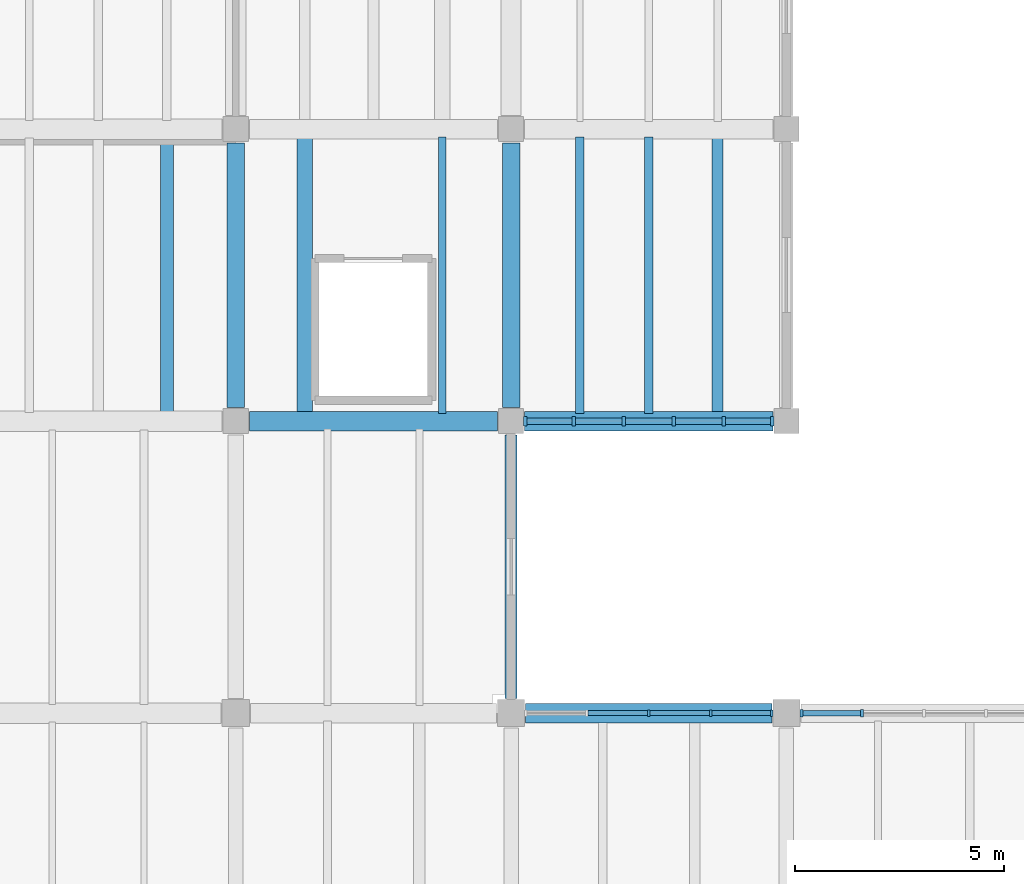
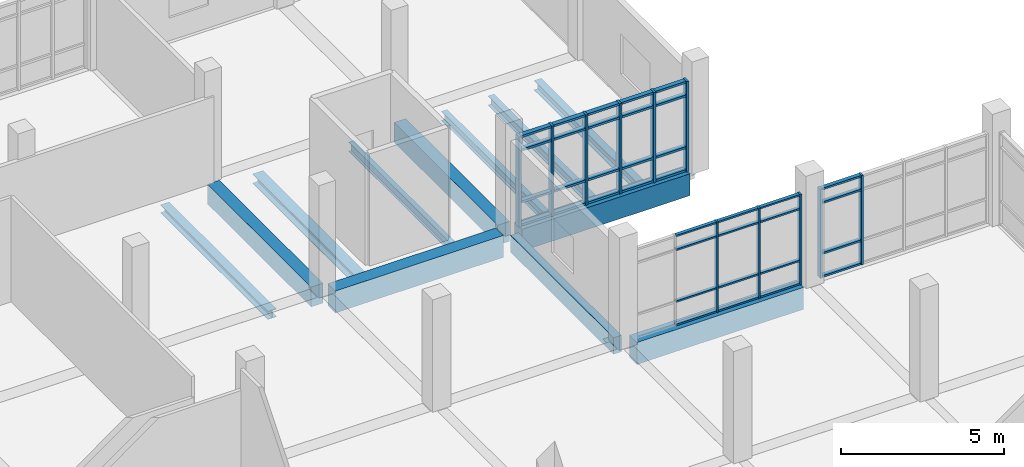
# One storey, part 20 of 68: 47 members, 12 beams, 3 elements without a shape of their own.
"""IFC4 building model written with IfcOpenShell, lengths in metres."""

from ifc_helpers import new_model, si_unit, direction, frame, origin, origin_2d, place, context, subcontext, project, spatial, rectangle, i_section, extrude, material, material_profile, profile_set, type_object, element, aggregate, save


model = new_model("IFC4")

# Units and contexts
model_context = context("Model", 3, precision=1e-05, world=origin(), true_north=direction((0.0, 1.0)))
body_context = subcontext(model_context, "Body", "Model", "MODEL_VIEW")
ifc_project = project(units=[si_unit("LENGTHUNIT", "METRE"), si_unit("AREAUNIT", "SQUARE_METRE"), si_unit("VOLUMEUNIT", "CUBIC_METRE"), si_unit("PLANEANGLEUNIT", "RADIAN"), si_unit("MASSUNIT", "GRAM", prefix="KILO")], contexts=[model_context])

# Site, building, storey
site_placement = place(None, origin())
site = spatial("IfcSite", under=ifc_project, at=site_placement, CompositionType="ELEMENT")
building_placement = place(site_placement, origin())
building = spatial("IfcBuilding", under=site, at=building_placement, Name="Ciguamira Faculty of Natural Sciences", CompositionType="ELEMENT")
storey_placement = place(building_placement, frame((0.0, 0.0, 4.199951171875)))
storey = spatial("IfcBuildingStorey", under=building, at=storey_placement, Name="L01", CompositionType="ELEMENT", Elevation=4.199951171875)

# Curtain wall, members
ifc_material_1 = material(Name="Anodized aluminium curtain wall", Category="aluminium")
curtain_wall_type_1 = type_object("IfcCurtainWallType", Name="CurtainWall_CW-10", PredefinedType="USERDEFINED", material=ifc_material_1)
curtain_wall_1_placement = place(storey_placement, origin())
curtain_wall_1 = element("IfcCurtainWall", 1, at=curtain_wall_1_placement, inside=storey, type_object=curtain_wall_type_1, Name="L01 unitised curtain wall 0034", ObjectType="UNITISED CURTAIN WALL", PredefinedType="USERDEFINED")
ifc_material_2 = material(Name="Anodized aluminium mullion", Category="aluminium")
ifc_material_profile_1 = material_profile(ifc_material_2, rectangle(XDim=0.06005859375, YDim=0.159912109375, at=origin_2d()), Name="ALU-MUL-60X160")
ifc_profile_set_1 = profile_set([ifc_material_profile_1], Name="Anodized aluminium mullion")
member_type_1 = type_object("IfcMemberType", Name="CWMullion_CWM-01", PredefinedType="MULLION", material=ifc_profile_set_1)
member_1_placement = place(storey_placement, frame((113.39990234375, 38.0, 0.0), z_axis=(0.0, 0.0, 1.0), x_axis=(1.0, 0.0, 0.0)))
member_1 = element("IfcMember", 2, at=member_1_placement, type_object=member_type_1, Name="CW-10 mullion 3", PredefinedType="MULLION", context=body_context, shape_type="SweptSolid", body=[
    extrude(rectangle(XDim=0.06005859375, YDim=0.159912109375, at=origin_2d()), origin(), (0.0, 0.0, 1.0), 3.385009765625),
])
member_2_placement = place(storey_placement, frame((114.887451171875, 38.0, 0.0), z_axis=(0.0, 0.0, 1.0), x_axis=(1.0, 0.0, 0.0)))
member_2 = element("IfcMember", 3, at=member_2_placement, type_object=member_type_1, Name="CW-10 mullion 4", PredefinedType="MULLION", context=body_context, shape_type="SweptSolid", body=[
    extrude(rectangle(XDim=0.06005859375, YDim=0.159912109375, at=origin_2d()), origin(), (0.0, 0.0, 1.0), 3.385009765625),
])
member_3_placement = place(storey_placement, frame((116.344970703125, 38.0, 0.0), z_axis=(0.0, 0.0, 1.0), x_axis=(1.0, 0.0, 0.0)))
member_3 = element("IfcMember", 4, at=member_3_placement, type_object=member_type_1, Name="CW-10 mullion 5", PredefinedType="MULLION", context=body_context, shape_type="SweptSolid", body=[
    extrude(rectangle(XDim=0.06005859375, YDim=0.159912109375, at=origin_2d()), origin(), (0.0, 0.0, 1.0), 3.385009765625),
])

curtain_wall_type_2 = type_object("IfcCurtainWallType", Name="CurtainWall_CW-11", PredefinedType="USERDEFINED", material=ifc_material_1)
curtain_wall_2_placement = place(storey_placement, origin())
curtain_wall_2 = element("IfcCurtainWall", 5, at=curtain_wall_2_placement, inside=storey, type_object=curtain_wall_type_2, Name="L01 unitised curtain wall 0035", ObjectType="UNITISED CURTAIN WALL", PredefinedType="USERDEFINED")
ifc_material_profile_2 = material_profile(ifc_material_2, rectangle(XDim=0.070068359375, YDim=0.179931640625, at=origin_2d()), Name="ALU-MUL-70X180")
ifc_profile_set_2 = profile_set([ifc_material_profile_2], Name="Anodized aluminium mullion")
member_type_2 = type_object("IfcMemberType", Name="CWMullion_CWM-02", PredefinedType="MULLION", material=ifc_profile_set_2)
member_4_placement = place(storey_placement, frame((117.06005859375, 38.0, 0.0), z_axis=(0.0, 0.0, 1.0), x_axis=(1.0, 0.0, 0.0)))
member_4 = element("IfcMember", 6, at=member_4_placement, type_object=member_type_2, Name="CW-11 mullion 1", PredefinedType="MULLION", context=body_context, shape_type="SweptSolid", body=[
    extrude(rectangle(XDim=0.070068359375, YDim=0.179931640625, at=origin_2d()), origin(), (0.0, 0.0, 1.0), 3.344970703125),
])
member_5_placement = place(storey_placement, frame((118.512451171875, 38.0, 0.0), z_axis=(0.0, 0.0, 1.0), x_axis=(1.0, 0.0, 0.0)))
member_5 = element("IfcMember", 7, at=member_5_placement, type_object=member_type_2, Name="CW-11 mullion 2", PredefinedType="MULLION", context=body_context, shape_type="SweptSolid", body=[
    extrude(rectangle(XDim=0.070068359375, YDim=0.179931640625, at=origin_2d()), origin(), (0.0, 0.0, 1.0), 3.344970703125),
])

curtain_wall_type_3 = type_object("IfcCurtainWallType", Name="CurtainWall_CW-12", PredefinedType="USERDEFINED", material=ifc_material_1)
curtain_wall_3_placement = place(storey_placement, origin())
curtain_wall_3 = element("IfcCurtainWall", 8, at=curtain_wall_3_placement, inside=storey, type_object=curtain_wall_type_3, Name="L01 unitised curtain wall 0036", ObjectType="UNITISED CURTAIN WALL", PredefinedType="USERDEFINED")
ifc_material_profile_3 = material_profile(ifc_material_2, rectangle(XDim=0.080078125, YDim=0.219970703125, at=origin_2d()), Name="ALU-MUL-80X220")
ifc_profile_set_3 = profile_set([ifc_material_profile_3], Name="Anodized aluminium mullion")
member_type_3 = type_object("IfcMemberType", Name="CWMullion_CWM-03", PredefinedType="MULLION", material=ifc_profile_set_3)
member_6_placement = place(storey_placement, frame((110.43994140625, 45.0, 0.0), z_axis=(0.0, 0.0, 1.0), x_axis=(1.0, 0.0, 0.0)))
member_6 = element("IfcMember", 9, at=member_6_placement, type_object=member_type_3, Name="CW-12 mullion 1", PredefinedType="MULLION", context=body_context, shape_type="SweptSolid", body=[
    extrude(rectangle(XDim=0.080078125, YDim=0.219970703125, at=origin_2d()), origin(), (0.0, 0.0, 1.0), 3.385009765625),
])
member_7_placement = place(storey_placement, frame((111.60009765625, 45.0, 0.0), z_axis=(0.0, 0.0, 1.0), x_axis=(1.0, 0.0, 0.0)))
member_7 = element("IfcMember", 10, at=member_7_placement, type_object=member_type_3, Name="CW-12 mullion 2", PredefinedType="MULLION", context=body_context, shape_type="SweptSolid", body=[
    extrude(rectangle(XDim=0.080078125, YDim=0.219970703125, at=origin_2d()), origin(), (0.0, 0.0, 1.0), 3.385009765625),
])
member_8_placement = place(storey_placement, frame((112.800048828125, 45.0, 0.0), z_axis=(0.0, 0.0, 1.0), x_axis=(1.0, 0.0, 0.0)))
member_8 = element("IfcMember", 11, at=member_8_placement, type_object=member_type_3, Name="CW-12 mullion 3", PredefinedType="MULLION", context=body_context, shape_type="SweptSolid", body=[
    extrude(rectangle(XDim=0.080078125, YDim=0.219970703125, at=origin_2d()), origin(), (0.0, 0.0, 1.0), 3.385009765625),
])
member_9_placement = place(storey_placement, frame((114.0, 45.0, 0.0), z_axis=(0.0, 0.0, 1.0), x_axis=(1.0, 0.0, 0.0)))
member_9 = element("IfcMember", 12, at=member_9_placement, type_object=member_type_3, Name="CW-12 mullion 4", PredefinedType="MULLION", context=body_context, shape_type="SweptSolid", body=[
    extrude(rectangle(XDim=0.080078125, YDim=0.219970703125, at=origin_2d()), origin(), (0.0, 0.0, 1.0), 3.385009765625),
])
member_10_placement = place(storey_placement, frame((115.199951171875, 45.0, 0.0), z_axis=(0.0, 0.0, 1.0), x_axis=(1.0, 0.0, 0.0)))
member_10 = element("IfcMember", 13, at=member_10_placement, type_object=member_type_3, Name="CW-12 mullion 5", PredefinedType="MULLION", context=body_context, shape_type="SweptSolid", body=[
    extrude(rectangle(XDim=0.080078125, YDim=0.219970703125, at=origin_2d()), origin(), (0.0, 0.0, 1.0), 3.385009765625),
])
member_11_placement = place(storey_placement, frame((116.360107421875, 45.0, 0.0), z_axis=(0.0, 0.0, 1.0), x_axis=(1.0, 0.0, 0.0)))
member_11 = element("IfcMember", 14, at=member_11_placement, type_object=member_type_3, Name="CW-12 mullion 6", PredefinedType="MULLION", context=body_context, shape_type="SweptSolid", body=[
    extrude(rectangle(XDim=0.080078125, YDim=0.219970703125, at=origin_2d()), origin(), (0.0, 0.0, 1.0), 3.385009765625),
])

# Member
ifc_material_3 = material(Name="Anodized aluminium transom", Category="aluminium")
ifc_material_profile_4 = material_profile(ifc_material_3, rectangle(XDim=0.06005859375, YDim=0.1201171875, at=origin_2d()), Name="ALU-TRN-60X120")
ifc_profile_set_4 = profile_set([ifc_material_profile_4], Name="Anodized aluminium transom")
member_type_4 = type_object("IfcMemberType", Name="CWTransom_CWT-01", PredefinedType="USERDEFINED", material=ifc_profile_set_4)
member_12_placement = place(storey_placement, frame((111.9423828125, 38.0, 0.030029296875), z_axis=(1.0, 0.0, 0.0), x_axis=(0.0, 0.0, 1.0)))
member_12 = element("IfcMember", 15, at=member_12_placement, type_object=member_type_4, Name="CW-10 transom 2.1", ObjectType="TRANSOM", PredefinedType="USERDEFINED", context=body_context, shape_type="SweptSolid", body=[
    extrude(rectangle(XDim=0.06005859375, YDim=0.1201171875, at=origin_2d()), origin(), (0.0, 0.0, 1.0), 1.427734375),
])

member_13_placement = place(storey_placement, frame((111.9423828125, 38.0, 0.900146484375), z_axis=(1.0, 0.0, 0.0), x_axis=(0.0, 0.0, 1.0)))
member_13 = element("IfcMember", 16, at=member_13_placement, type_object=member_type_4, Name="CW-10 transom 2.2", ObjectType="TRANSOM", PredefinedType="USERDEFINED", context=body_context, shape_type="SweptSolid", body=[
    extrude(rectangle(XDim=0.06005859375, YDim=0.1201171875, at=origin_2d()), origin(), (0.0, 0.0, 1.0), 1.427734375),
])

member_14_placement = place(storey_placement, frame((111.9423828125, 38.0, 2.8349609375), z_axis=(1.0, 0.0, 0.0), x_axis=(0.0, 0.0, 1.0)))
member_14 = element("IfcMember", 17, at=member_14_placement, type_object=member_type_4, Name="CW-10 transom 2.3", ObjectType="TRANSOM", PredefinedType="USERDEFINED", context=body_context, shape_type="SweptSolid", body=[
    extrude(rectangle(XDim=0.06005859375, YDim=0.1201171875, at=origin_2d()), origin(), (0.0, 0.0, 1.0), 1.427734375),
])

member_15_placement = place(storey_placement, frame((111.9423828125, 38.0, 3.35498046875), z_axis=(1.0, 0.0, 0.0), x_axis=(0.0, 0.0, 1.0)))
member_15 = element("IfcMember", 18, at=member_15_placement, type_object=member_type_4, Name="CW-10 transom 2.4", ObjectType="TRANSOM", PredefinedType="USERDEFINED", context=body_context, shape_type="SweptSolid", body=[
    extrude(rectangle(XDim=0.06005859375, YDim=0.1201171875, at=origin_2d()), origin(), (0.0, 0.0, 1.0), 1.427734375),
])

member_16_placement = place(storey_placement, frame((113.429931640625, 38.0, 0.030029296875), z_axis=(1.0, 0.0, 0.0), x_axis=(0.0, 0.0, 1.0)))
member_16 = element("IfcMember", 19, at=member_16_placement, type_object=member_type_4, Name="CW-10 transom 3.1", ObjectType="TRANSOM", PredefinedType="USERDEFINED", context=body_context, shape_type="SweptSolid", body=[
    extrude(rectangle(XDim=0.06005859375, YDim=0.1201171875, at=origin_2d()), origin(), (0.0, 0.0, 1.0), 1.427490234375),
])

member_17_placement = place(storey_placement, frame((113.429931640625, 38.0, 0.900146484375), z_axis=(1.0, 0.0, 0.0), x_axis=(0.0, 0.0, 1.0)))
member_17 = element("IfcMember", 20, at=member_17_placement, type_object=member_type_4, Name="CW-10 transom 3.2", ObjectType="TRANSOM", PredefinedType="USERDEFINED", context=body_context, shape_type="SweptSolid", body=[
    extrude(rectangle(XDim=0.06005859375, YDim=0.1201171875, at=origin_2d()), origin(), (0.0, 0.0, 1.0), 1.427490234375),
])

member_18_placement = place(storey_placement, frame((113.429931640625, 38.0, 2.8349609375), z_axis=(1.0, 0.0, 0.0), x_axis=(0.0, 0.0, 1.0)))
member_18 = element("IfcMember", 21, at=member_18_placement, type_object=member_type_4, Name="CW-10 transom 3.3", ObjectType="TRANSOM", PredefinedType="USERDEFINED", context=body_context, shape_type="SweptSolid", body=[
    extrude(rectangle(XDim=0.06005859375, YDim=0.1201171875, at=origin_2d()), origin(), (0.0, 0.0, 1.0), 1.427490234375),
])

member_19_placement = place(storey_placement, frame((113.429931640625, 38.0, 3.35498046875), z_axis=(1.0, 0.0, 0.0), x_axis=(0.0, 0.0, 1.0)))
member_19 = element("IfcMember", 22, at=member_19_placement, type_object=member_type_4, Name="CW-10 transom 3.4", ObjectType="TRANSOM", PredefinedType="USERDEFINED", context=body_context, shape_type="SweptSolid", body=[
    extrude(rectangle(XDim=0.06005859375, YDim=0.1201171875, at=origin_2d()), origin(), (0.0, 0.0, 1.0), 1.427490234375),
])

member_20_placement = place(storey_placement, frame((114.91748046875, 38.0, 0.030029296875), z_axis=(1.0, 0.0, 0.0), x_axis=(0.0, 0.0, 1.0)))
member_20 = element("IfcMember", 23, at=member_20_placement, type_object=member_type_4, Name="CW-10 transom 4.1", ObjectType="TRANSOM", PredefinedType="USERDEFINED", context=body_context, shape_type="SweptSolid", body=[
    extrude(rectangle(XDim=0.06005859375, YDim=0.1201171875, at=origin_2d()), origin(), (0.0, 0.0, 1.0), 1.3974609375),
])

member_21_placement = place(storey_placement, frame((114.91748046875, 38.0, 0.900146484375), z_axis=(1.0, 0.0, 0.0), x_axis=(0.0, 0.0, 1.0)))
member_21 = element("IfcMember", 24, at=member_21_placement, type_object=member_type_4, Name="CW-10 transom 4.2", ObjectType="TRANSOM", PredefinedType="USERDEFINED", context=body_context, shape_type="SweptSolid", body=[
    extrude(rectangle(XDim=0.06005859375, YDim=0.1201171875, at=origin_2d()), origin(), (0.0, 0.0, 1.0), 1.3974609375),
])

member_22_placement = place(storey_placement, frame((114.91748046875, 38.0, 2.8349609375), z_axis=(1.0, 0.0, 0.0), x_axis=(0.0, 0.0, 1.0)))
member_22 = element("IfcMember", 25, at=member_22_placement, type_object=member_type_4, Name="CW-10 transom 4.3", ObjectType="TRANSOM", PredefinedType="USERDEFINED", context=body_context, shape_type="SweptSolid", body=[
    extrude(rectangle(XDim=0.06005859375, YDim=0.1201171875, at=origin_2d()), origin(), (0.0, 0.0, 1.0), 1.3974609375),
])

member_23_placement = place(storey_placement, frame((114.91748046875, 38.0, 3.35498046875), z_axis=(1.0, 0.0, 0.0), x_axis=(0.0, 0.0, 1.0)))
member_23 = element("IfcMember", 26, at=member_23_placement, type_object=member_type_4, Name="CW-10 transom 4.4", ObjectType="TRANSOM", PredefinedType="USERDEFINED", context=body_context, shape_type="SweptSolid", body=[
    extrude(rectangle(XDim=0.06005859375, YDim=0.1201171875, at=origin_2d()), origin(), (0.0, 0.0, 1.0), 1.3974609375),
])

aggregate(curtain_wall_1, [member_1, member_2, member_3, member_12, member_13, member_14, member_15, member_16, member_17, member_18, member_19, member_20, member_21, member_22, member_23])

ifc_material_profile_5 = material_profile(ifc_material_3, rectangle(XDim=0.070068359375, YDim=0.139892578125, at=origin_2d()), Name="ALU-TRN-70X140")
ifc_profile_set_5 = profile_set([ifc_material_profile_5], Name="Anodized aluminium transom")
member_type_5 = type_object("IfcMemberType", Name="CWTransom_CWT-02", PredefinedType="USERDEFINED", material=ifc_profile_set_5)
member_24_placement = place(storey_placement, frame((117.094970703125, 38.0, 0.03515625), z_axis=(1.0, 0.0, 0.0), x_axis=(0.0, 0.0, 1.0)))
member_24 = element("IfcMember", 27, at=member_24_placement, type_object=member_type_5, Name="CW-11 transom 1.1", ObjectType="TRANSOM", PredefinedType="USERDEFINED", context=body_context, shape_type="SweptSolid", body=[
    extrude(rectangle(XDim=0.070068359375, YDim=0.139892578125, at=origin_2d()), origin(), (0.0, 0.0, 1.0), 1.382568359375),
])

member_25_placement = place(storey_placement, frame((117.094970703125, 38.0, 0.900146484375), z_axis=(1.0, 0.0, 0.0), x_axis=(0.0, 0.0, 1.0)))
member_25 = element("IfcMember", 28, at=member_25_placement, type_object=member_type_5, Name="CW-11 transom 1.2", ObjectType="TRANSOM", PredefinedType="USERDEFINED", context=body_context, shape_type="SweptSolid", body=[
    extrude(rectangle(XDim=0.070068359375, YDim=0.139892578125, at=origin_2d()), origin(), (0.0, 0.0, 1.0), 1.382568359375),
])

member_26_placement = place(storey_placement, frame((117.094970703125, 38.0, 2.795166015625), z_axis=(1.0, 0.0, 0.0), x_axis=(0.0, 0.0, 1.0)))
member_26 = element("IfcMember", 29, at=member_26_placement, type_object=member_type_5, Name="CW-11 transom 1.3", ObjectType="TRANSOM", PredefinedType="USERDEFINED", context=body_context, shape_type="SweptSolid", body=[
    extrude(rectangle(XDim=0.070068359375, YDim=0.139892578125, at=origin_2d()), origin(), (0.0, 0.0, 1.0), 1.382568359375),
])

member_27_placement = place(storey_placement, frame((117.094970703125, 38.0, 3.31005859375), z_axis=(1.0, 0.0, 0.0), x_axis=(0.0, 0.0, 1.0)))
member_27 = element("IfcMember", 30, at=member_27_placement, type_object=member_type_5, Name="CW-11 transom 1.4", ObjectType="TRANSOM", PredefinedType="USERDEFINED", context=body_context, shape_type="SweptSolid", body=[
    extrude(rectangle(XDim=0.070068359375, YDim=0.139892578125, at=origin_2d()), origin(), (0.0, 0.0, 1.0), 1.382568359375),
])

aggregate(curtain_wall_2, [member_4, member_5, member_24, member_25, member_26, member_27])

ifc_material_profile_6 = material_profile(ifc_material_3, rectangle(XDim=0.080078125, YDim=0.159912109375, at=origin_2d()), Name="ALU-TRN-80X160")
ifc_profile_set_6 = profile_set([ifc_material_profile_6], Name="Anodized aluminium transom")
member_type_6 = type_object("IfcMemberType", Name="CWTransom_CWT-03", PredefinedType="USERDEFINED", material=ifc_profile_set_6)
member_28_placement = place(storey_placement, frame((110.47998046875, 45.0, 0.0400390625), z_axis=(1.0, 0.0, 0.0), x_axis=(0.0, 0.0, 1.0)))
member_28 = element("IfcMember", 31, at=member_28_placement, type_object=member_type_6, Name="CW-12 transom 1.1", ObjectType="TRANSOM", PredefinedType="USERDEFINED", context=body_context, shape_type="SweptSolid", body=[
    extrude(rectangle(XDim=0.080078125, YDim=0.159912109375, at=origin_2d()), origin(), (0.0, 0.0, 1.0), 1.080078125),
])

member_29_placement = place(storey_placement, frame((110.47998046875, 45.0, 0.900146484375), z_axis=(1.0, 0.0, 0.0), x_axis=(0.0, 0.0, 1.0)))
member_29 = element("IfcMember", 32, at=member_29_placement, type_object=member_type_6, Name="CW-12 transom 1.2", ObjectType="TRANSOM", PredefinedType="USERDEFINED", context=body_context, shape_type="SweptSolid", body=[
    extrude(rectangle(XDim=0.080078125, YDim=0.159912109375, at=origin_2d()), origin(), (0.0, 0.0, 1.0), 1.080078125),
])

member_30_placement = place(storey_placement, frame((110.47998046875, 45.0, 2.8349609375), z_axis=(1.0, 0.0, 0.0), x_axis=(0.0, 0.0, 1.0)))
member_30 = element("IfcMember", 33, at=member_30_placement, type_object=member_type_6, Name="CW-12 transom 1.3", ObjectType="TRANSOM", PredefinedType="USERDEFINED", context=body_context, shape_type="SweptSolid", body=[
    extrude(rectangle(XDim=0.080078125, YDim=0.159912109375, at=origin_2d()), origin(), (0.0, 0.0, 1.0), 1.080078125),
])

member_31_placement = place(storey_placement, frame((110.47998046875, 45.0, 3.344970703125), z_axis=(1.0, 0.0, 0.0), x_axis=(0.0, 0.0, 1.0)))
member_31 = element("IfcMember", 34, at=member_31_placement, type_object=member_type_6, Name="CW-12 transom 1.4", ObjectType="TRANSOM", PredefinedType="USERDEFINED", context=body_context, shape_type="SweptSolid", body=[
    extrude(rectangle(XDim=0.080078125, YDim=0.159912109375, at=origin_2d()), origin(), (0.0, 0.0, 1.0), 1.080078125),
])

member_32_placement = place(storey_placement, frame((111.639892578125, 45.0, 0.0400390625), z_axis=(1.0, 0.0, 0.0), x_axis=(0.0, 0.0, 1.0)))
member_32 = element("IfcMember", 35, at=member_32_placement, type_object=member_type_6, Name="CW-12 transom 2.1", ObjectType="TRANSOM", PredefinedType="USERDEFINED", context=body_context, shape_type="SweptSolid", body=[
    extrude(rectangle(XDim=0.080078125, YDim=0.159912109375, at=origin_2d()), origin(), (0.0, 0.0, 1.0), 1.1201171875),
])

member_33_placement = place(storey_placement, frame((111.639892578125, 45.0, 0.900146484375), z_axis=(1.0, 0.0, 0.0), x_axis=(0.0, 0.0, 1.0)))
member_33 = element("IfcMember", 36, at=member_33_placement, type_object=member_type_6, Name="CW-12 transom 2.2", ObjectType="TRANSOM", PredefinedType="USERDEFINED", context=body_context, shape_type="SweptSolid", body=[
    extrude(rectangle(XDim=0.080078125, YDim=0.159912109375, at=origin_2d()), origin(), (0.0, 0.0, 1.0), 1.1201171875),
])

member_34_placement = place(storey_placement, frame((111.639892578125, 45.0, 2.8349609375), z_axis=(1.0, 0.0, 0.0), x_axis=(0.0, 0.0, 1.0)))
member_34 = element("IfcMember", 37, at=member_34_placement, type_object=member_type_6, Name="CW-12 transom 2.3", ObjectType="TRANSOM", PredefinedType="USERDEFINED", context=body_context, shape_type="SweptSolid", body=[
    extrude(rectangle(XDim=0.080078125, YDim=0.159912109375, at=origin_2d()), origin(), (0.0, 0.0, 1.0), 1.1201171875),
])

member_35_placement = place(storey_placement, frame((111.639892578125, 45.0, 3.344970703125), z_axis=(1.0, 0.0, 0.0), x_axis=(0.0, 0.0, 1.0)))
member_35 = element("IfcMember", 38, at=member_35_placement, type_object=member_type_6, Name="CW-12 transom 2.4", ObjectType="TRANSOM", PredefinedType="USERDEFINED", context=body_context, shape_type="SweptSolid", body=[
    extrude(rectangle(XDim=0.080078125, YDim=0.159912109375, at=origin_2d()), origin(), (0.0, 0.0, 1.0), 1.1201171875),
])

member_36_placement = place(storey_placement, frame((112.840087890625, 45.0, 0.0400390625), z_axis=(1.0, 0.0, 0.0), x_axis=(0.0, 0.0, 1.0)))
member_36 = element("IfcMember", 39, at=member_36_placement, type_object=member_type_6, Name="CW-12 transom 3.1", ObjectType="TRANSOM", PredefinedType="USERDEFINED", context=body_context, shape_type="SweptSolid", body=[
    extrude(rectangle(XDim=0.080078125, YDim=0.159912109375, at=origin_2d()), origin(), (0.0, 0.0, 1.0), 1.119873046875),
])

member_37_placement = place(storey_placement, frame((112.840087890625, 45.0, 0.900146484375), z_axis=(1.0, 0.0, 0.0), x_axis=(0.0, 0.0, 1.0)))
member_37 = element("IfcMember", 40, at=member_37_placement, type_object=member_type_6, Name="CW-12 transom 3.2", ObjectType="TRANSOM", PredefinedType="USERDEFINED", context=body_context, shape_type="SweptSolid", body=[
    extrude(rectangle(XDim=0.080078125, YDim=0.159912109375, at=origin_2d()), origin(), (0.0, 0.0, 1.0), 1.119873046875),
])

member_38_placement = place(storey_placement, frame((112.840087890625, 45.0, 2.8349609375), z_axis=(1.0, 0.0, 0.0), x_axis=(0.0, 0.0, 1.0)))
member_38 = element("IfcMember", 41, at=member_38_placement, type_object=member_type_6, Name="CW-12 transom 3.3", ObjectType="TRANSOM", PredefinedType="USERDEFINED", context=body_context, shape_type="SweptSolid", body=[
    extrude(rectangle(XDim=0.080078125, YDim=0.159912109375, at=origin_2d()), origin(), (0.0, 0.0, 1.0), 1.119873046875),
])

member_39_placement = place(storey_placement, frame((112.840087890625, 45.0, 3.344970703125), z_axis=(1.0, 0.0, 0.0), x_axis=(0.0, 0.0, 1.0)))
member_39 = element("IfcMember", 42, at=member_39_placement, type_object=member_type_6, Name="CW-12 transom 3.4", ObjectType="TRANSOM", PredefinedType="USERDEFINED", context=body_context, shape_type="SweptSolid", body=[
    extrude(rectangle(XDim=0.080078125, YDim=0.159912109375, at=origin_2d()), origin(), (0.0, 0.0, 1.0), 1.119873046875),
])

member_40_placement = place(storey_placement, frame((114.0400390625, 45.0, 0.0400390625), z_axis=(1.0, 0.0, 0.0), x_axis=(0.0, 0.0, 1.0)))
member_40 = element("IfcMember", 43, at=member_40_placement, type_object=member_type_6, Name="CW-12 transom 4.1", ObjectType="TRANSOM", PredefinedType="USERDEFINED", context=body_context, shape_type="SweptSolid", body=[
    extrude(rectangle(XDim=0.080078125, YDim=0.159912109375, at=origin_2d()), origin(), (0.0, 0.0, 1.0), 1.119873046875),
])

member_41_placement = place(storey_placement, frame((114.0400390625, 45.0, 0.900146484375), z_axis=(1.0, 0.0, 0.0), x_axis=(0.0, 0.0, 1.0)))
member_41 = element("IfcMember", 44, at=member_41_placement, type_object=member_type_6, Name="CW-12 transom 4.2", ObjectType="TRANSOM", PredefinedType="USERDEFINED", context=body_context, shape_type="SweptSolid", body=[
    extrude(rectangle(XDim=0.080078125, YDim=0.159912109375, at=origin_2d()), origin(), (0.0, 0.0, 1.0), 1.119873046875),
])

member_42_placement = place(storey_placement, frame((114.0400390625, 45.0, 2.8349609375), z_axis=(1.0, 0.0, 0.0), x_axis=(0.0, 0.0, 1.0)))
member_42 = element("IfcMember", 45, at=member_42_placement, type_object=member_type_6, Name="CW-12 transom 4.3", ObjectType="TRANSOM", PredefinedType="USERDEFINED", context=body_context, shape_type="SweptSolid", body=[
    extrude(rectangle(XDim=0.080078125, YDim=0.159912109375, at=origin_2d()), origin(), (0.0, 0.0, 1.0), 1.119873046875),
])

member_43_placement = place(storey_placement, frame((114.0400390625, 45.0, 3.344970703125), z_axis=(1.0, 0.0, 0.0), x_axis=(0.0, 0.0, 1.0)))
member_43 = element("IfcMember", 46, at=member_43_placement, type_object=member_type_6, Name="CW-12 transom 4.4", ObjectType="TRANSOM", PredefinedType="USERDEFINED", context=body_context, shape_type="SweptSolid", body=[
    extrude(rectangle(XDim=0.080078125, YDim=0.159912109375, at=origin_2d()), origin(), (0.0, 0.0, 1.0), 1.119873046875),
])

member_44_placement = place(storey_placement, frame((115.239990234375, 45.0, 0.0400390625), z_axis=(1.0, 0.0, 0.0), x_axis=(0.0, 0.0, 1.0)))
member_44 = element("IfcMember", 47, at=member_44_placement, type_object=member_type_6, Name="CW-12 transom 5.1", ObjectType="TRANSOM", PredefinedType="USERDEFINED", context=body_context, shape_type="SweptSolid", body=[
    extrude(rectangle(XDim=0.080078125, YDim=0.159912109375, at=origin_2d()), origin(), (0.0, 0.0, 1.0), 1.080078125),
])

member_45_placement = place(storey_placement, frame((115.239990234375, 45.0, 0.900146484375), z_axis=(1.0, 0.0, 0.0), x_axis=(0.0, 0.0, 1.0)))
member_45 = element("IfcMember", 48, at=member_45_placement, type_object=member_type_6, Name="CW-12 transom 5.2", ObjectType="TRANSOM", PredefinedType="USERDEFINED", context=body_context, shape_type="SweptSolid", body=[
    extrude(rectangle(XDim=0.080078125, YDim=0.159912109375, at=origin_2d()), origin(), (0.0, 0.0, 1.0), 1.080078125),
])

member_46_placement = place(storey_placement, frame((115.239990234375, 45.0, 2.8349609375), z_axis=(1.0, 0.0, 0.0), x_axis=(0.0, 0.0, 1.0)))
member_46 = element("IfcMember", 49, at=member_46_placement, type_object=member_type_6, Name="CW-12 transom 5.3", ObjectType="TRANSOM", PredefinedType="USERDEFINED", context=body_context, shape_type="SweptSolid", body=[
    extrude(rectangle(XDim=0.080078125, YDim=0.159912109375, at=origin_2d()), origin(), (0.0, 0.0, 1.0), 1.080078125),
])

member_47_placement = place(storey_placement, frame((115.239990234375, 45.0, 3.344970703125), z_axis=(1.0, 0.0, 0.0), x_axis=(0.0, 0.0, 1.0)))
member_47 = element("IfcMember", 50, at=member_47_placement, type_object=member_type_6, Name="CW-12 transom 5.4", ObjectType="TRANSOM", PredefinedType="USERDEFINED", context=body_context, shape_type="SweptSolid", body=[
    extrude(rectangle(XDim=0.080078125, YDim=0.159912109375, at=origin_2d()), origin(), (0.0, 0.0, 1.0), 1.080078125),
])

aggregate(curtain_wall_3, [member_6, member_7, member_8, member_9, member_10, member_11, member_28, member_29, member_30, member_31, member_32, member_33, member_34, member_35, member_36, member_37, member_38, member_39, member_40, member_41, member_42, member_43, member_44, member_45, member_46, member_47])

# Beams
ifc_material_4 = material(Name="Concrete C40/50", Category="concrete")
ifc_material_profile_7 = material_profile(ifc_material_4, rectangle(XDim=0.4599609375, YDim=0.820068359375, at=origin_2d()), Name="RC-BM-460X820")
ifc_profile_set_7 = profile_set([ifc_material_profile_7], Name="Concrete C40/50")
beam_type_1 = type_object("IfcBeamType", Name="RCBeam_BG-04_RC-BM-460X820", PredefinedType="BEAM", material=ifc_profile_set_7)
beam_1_placement = place(storey_placement, frame((110.449951171875, 38.0, -0.409912109375), z_axis=(1.0, 0.0, 0.0), x_axis=(0.0, 1.0, 0.0)))
element("IfcBeam", 51, at=beam_1_placement, inside=storey, type_object=beam_type_1, Name="L01 RC girder EW-0455", PredefinedType="BEAM", context=body_context, shape_type="SweptSolid", body=[
    extrude(rectangle(XDim=0.4599609375, YDim=0.820068359375, at=origin_2d()), origin(), (0.0, 0.0, 1.0), 5.900146484375),
])
for number, where, z_axis, x_axis, name in (
    (52, (103.824951171875, 45.0, -0.409912109375), (1.0, 0.0, 0.0), (0.0, 1.0, 0.0), "L01 RC girder EW-0464"),
    (53, (110.425048828125, 45.0, -0.409912109375), (1.0, 0.0, 0.0), (0.0, 1.0, 0.0), "L01 RC girder EW-0465"),
):
    element("IfcBeam", number, at=place(storey_placement, frame(where, z_axis=z_axis, x_axis=x_axis)), inside=storey, type_object=beam_type_1, Name=name, PredefinedType="BEAM", context=body_context, shape_type="SweptSolid", body=[
        extrude(rectangle(XDim=0.4599609375, YDim=0.820068359375, at=origin_2d()), origin(), (0.0, 0.0, 1.0), 5.949951171875),
    ])
ifc_material_profile_8 = material_profile(ifc_material_4, rectangle(XDim=0.419921875, YDim=0.739990234375, at=origin_2d()), Name="RC-BM-420X740")
ifc_profile_set_8 = profile_set([ifc_material_profile_8], Name="Concrete C40/50")
beam_type_2 = type_object("IfcBeamType", Name="RCBeam_BG-07_RC-BM-420X740", PredefinedType="BEAM", material=ifc_profile_set_8)
for number, where, z_axis, x_axis, name in (
    (54, (103.5, 45.324951171875, -0.369873046875), (0.0, 1.0, 0.0), (-1.0, 0.0, 0.0), "L01 girder NS-0658"),
    (55, (110.10009765625, 45.324951171875, -0.369873046875), (0.0, 1.0, 0.0), (-1.0, 0.0, 0.0), "L01 girder NS-0668"),
):
    element("IfcBeam", number, at=place(storey_placement, frame(where, z_axis=z_axis, x_axis=x_axis)), inside=storey, type_object=beam_type_2, Name=name, PredefinedType="BEAM", context=body_context, shape_type="SweptSolid", body=[
        extrude(rectangle(XDim=0.419921875, YDim=0.739990234375, at=origin_2d()), origin(), (0.0, 0.0, 1.0), 6.35009765625),
    ])
ifc_material_5 = material(Name="Precast concrete C40/50", Category="concrete")
ifc_material_profile_9 = material_profile(ifc_material_5, rectangle(XDim=0.280029296875, YDim=0.6201171875, at=origin_2d()), Name="RC-SP-280X620")
ifc_profile_set_9 = profile_set([ifc_material_profile_9], Name="Precast concrete C40/50")
beam_type_3 = type_object("IfcBeamType", Name="RCBeam_SP-01_RC-SP-280X620", PredefinedType="SPANDREL", material=ifc_profile_set_9)
beam_2_placement = place(storey_placement, frame((110.10009765625, 38.35009765625, -0.31005859375), z_axis=(0.0, 1.0, 0.0), x_axis=(-1.0, 0.0, 0.0)))
element("IfcBeam", 56, at=beam_2_placement, inside=storey, type_object=beam_type_3, Name="L01 girder NS-0667", PredefinedType="SPANDREL", context=body_context, shape_type="SweptSolid", body=[
    extrude(rectangle(XDim=0.280029296875, YDim=0.6201171875, at=origin_2d()), origin(), (0.0, 0.0, 1.0), 6.324951171875),
])
ifc_material_6 = material(Name="Steel ASTM A992 Grade 50", Category="steel")
ifc_material_profile_10 = material_profile(ifc_material_6, i_section(OverallWidth=0.3046875, OverallDepth=0.307373046875, WebThickness=0.010009765625, FlangeThickness=0.015380859375, at=origin_2d()), Name="W12X65")
ifc_profile_set_10 = profile_set([ifc_material_profile_10], Name="Steel ASTM A992 Grade 50")
beam_type_4 = type_object("IfcBeamType", Name="SteelJoist_SJ-08_W12X65", PredefinedType="JOIST", material=ifc_profile_set_10)
beam_3_placement = place(storey_placement, frame((101.85009765625, 45.2099609375, -0.43359375), z_axis=(0.0, 1.0, 0.0), x_axis=(-1.0, 0.0, 0.0)))
element("IfcBeam", 57, at=beam_3_placement, inside=storey, type_object=beam_type_4, Name="L01 composite steel joist 00553", PredefinedType="JOIST", context=body_context, shape_type="SweptSolid", body=[
    extrude(i_section(OverallWidth=0.3046875, OverallDepth=0.307373046875, WebThickness=0.010009765625, FlangeThickness=0.015380859375, at=origin_2d()), origin(), (0.0, 0.0, 1.0), 6.580078125),
])
ifc_material_profile_11 = material_profile(ifc_material_6, i_section(OverallWidth=0.370849609375, OverallDepth=0.36328125, WebThickness=0.013427734375, FlangeThickness=0.021728515625, at=origin_2d()), Name="W14X109")
ifc_profile_set_11 = profile_set([ifc_material_profile_11], Name="Steel ASTM A992 Grade 50")
beam_type_5 = type_object("IfcBeamType", Name="SteelJoist_SJ-09_W14X109", PredefinedType="JOIST", material=ifc_profile_set_11)
beam_4_placement = place(storey_placement, frame((105.14990234375, 45.18994140625, -0.461669921875), z_axis=(0.0, 1.0, 0.0), x_axis=(-1.0, 0.0, 0.0)))
element("IfcBeam", 58, at=beam_4_placement, inside=storey, type_object=beam_type_5, Name="L01 composite steel joist 00580", PredefinedType="JOIST", context=body_context, shape_type="SweptSolid", body=[
    extrude(i_section(OverallWidth=0.370849609375, OverallDepth=0.36328125, WebThickness=0.013427734375, FlangeThickness=0.021728515625, at=origin_2d()), origin(), (0.0, 0.0, 1.0), 6.6201171875),
])
ifc_material_profile_12 = material_profile(ifc_material_6, i_section(OverallWidth=0.1708984375, OverallDepth=0.3505859375, WebThickness=0.0068359375, FlangeThickness=0.009765625, at=origin_2d()), Name="W14X30")
ifc_profile_set_12 = profile_set([ifc_material_profile_12], Name="Steel ASTM A992 Grade 50")
beam_type_6 = type_object("IfcBeamType", Name="SteelJoist_SJ-11_W14X30", PredefinedType="JOIST", material=ifc_profile_set_12)
beam_5_placement = place(storey_placement, frame((108.449951171875, 45.18994140625, -0.455322265625), z_axis=(0.0, 1.0, 0.0), x_axis=(-1.0, 0.0, 0.0)))
element("IfcBeam", 59, at=beam_5_placement, inside=storey, type_object=beam_type_6, Name="L01 composite steel joist 00581", PredefinedType="JOIST", context=body_context, shape_type="SweptSolid", body=[
    extrude(i_section(OverallWidth=0.1708984375, OverallDepth=0.3505859375, WebThickness=0.0068359375, FlangeThickness=0.009765625, at=origin_2d()), origin(), (0.0, 0.0, 1.0), 6.6201171875),
])
ifc_material_profile_13 = material_profile(ifc_material_6, i_section(OverallWidth=0.203125, OverallDepth=0.347900390625, WebThickness=0.0078125, FlangeThickness=0.013427734375, at=origin_2d()), Name="W14X43")
ifc_profile_set_13 = profile_set([ifc_material_profile_13], Name="Steel ASTM A992 Grade 50")
beam_type_7 = type_object("IfcBeamType", Name="SteelJoist_SJ-12_W14X43", PredefinedType="JOIST", material=ifc_profile_set_13)
beam_6_placement = place(storey_placement, frame((111.75, 45.18994140625, -0.453857421875), z_axis=(0.0, 1.0, 0.0), x_axis=(-1.0, 0.0, 0.0)))
element("IfcBeam", 60, at=beam_6_placement, inside=storey, type_object=beam_type_7, Name="L01 composite steel joist 00603", PredefinedType="JOIST", context=body_context, shape_type="SweptSolid", body=[
    extrude(i_section(OverallWidth=0.203125, OverallDepth=0.347900390625, WebThickness=0.0078125, FlangeThickness=0.013427734375, at=origin_2d()), origin(), (0.0, 0.0, 1.0), 6.6201171875),
])
ifc_material_profile_14 = material_profile(ifc_material_6, i_section(OverallWidth=0.204833984375, OverallDepth=0.35302734375, WebThickness=0.00927734375, FlangeThickness=0.016845703125, at=origin_2d()), Name="W14X53")
ifc_profile_set_14 = profile_set([ifc_material_profile_14], Name="Steel ASTM A992 Grade 50")
beam_type_8 = type_object("IfcBeamType", Name="SteelJoist_SJ-13_W14X53", PredefinedType="JOIST", material=ifc_profile_set_14)
beam_7_placement = place(storey_placement, frame((113.39990234375, 45.18994140625, -0.45654296875), z_axis=(0.0, 1.0, 0.0), x_axis=(-1.0, 0.0, 0.0)))
element("IfcBeam", 61, at=beam_7_placement, inside=storey, type_object=beam_type_8, Name="L01 composite steel joist 00604", PredefinedType="JOIST", context=body_context, shape_type="SweptSolid", body=[
    extrude(i_section(OverallWidth=0.204833984375, OverallDepth=0.35302734375, WebThickness=0.00927734375, FlangeThickness=0.016845703125, at=origin_2d()), origin(), (0.0, 0.0, 1.0), 6.6201171875),
])
ifc_material_profile_15 = material_profile(ifc_material_6, i_section(OverallWidth=0.25390625, OverallDepth=0.355712890625, WebThickness=0.010498046875, FlangeThickness=0.018310546875, at=origin_2d()), Name="W14X68")
ifc_profile_set_15 = profile_set([ifc_material_profile_15], Name="Steel ASTM A992 Grade 50")
beam_type_9 = type_object("IfcBeamType", Name="SteelJoist_SJ-14_W14X68", PredefinedType="JOIST", material=ifc_profile_set_15)
beam_8_placement = place(storey_placement, frame((115.050048828125, 45.18994140625, -0.457763671875), z_axis=(0.0, 1.0, 0.0), x_axis=(-1.0, 0.0, 0.0)))
element("IfcBeam", 62, at=beam_8_placement, inside=storey, type_object=beam_type_9, Name="L01 composite steel joist 00605", PredefinedType="JOIST", context=body_context, shape_type="SweptSolid", body=[
    extrude(i_section(OverallWidth=0.25390625, OverallDepth=0.355712890625, WebThickness=0.010498046875, FlangeThickness=0.018310546875, at=origin_2d()), origin(), (0.0, 0.0, 1.0), 6.6201171875),
])

save(model, "model.ifc")
